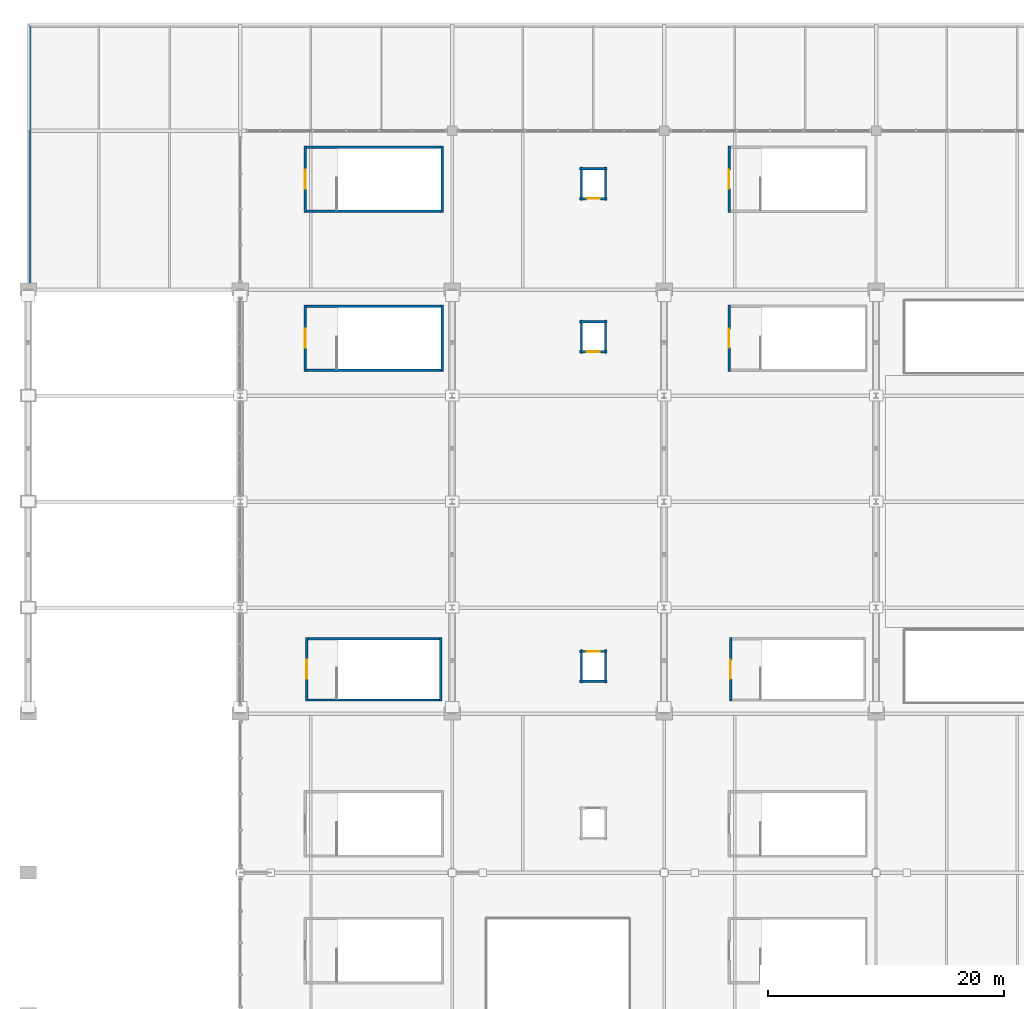
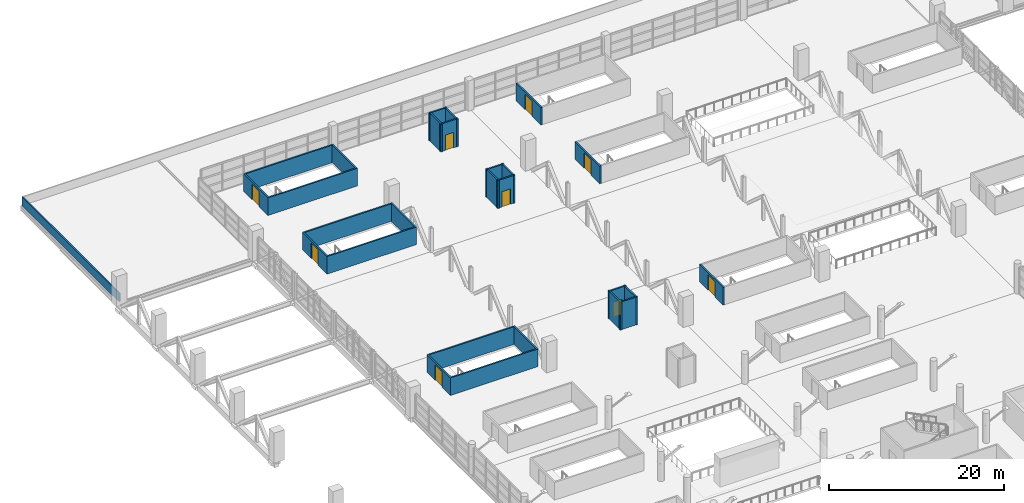
# One storey, part 118 of 136: 28 walls, 9 doors, 9 openings.
"""IFC4 building model written with IfcOpenShell, lengths in metres."""

from ifc_helpers import new_model, si_unit, direction, frame, frame_2d, origin, place, context, subcontext, project, spatial, rectangle, extrude, material, layer, layer_set, type_object, element, fill, save


model = new_model("IFC4")

# Units and contexts
model_context = context("Model", 3, precision=1e-05, world=origin(), true_north=direction((0.0, 1.0)))
body_context = subcontext(model_context, "Body", "Model", "MODEL_VIEW")
ifc_project = project(units=[si_unit("LENGTHUNIT", "METRE"), si_unit("AREAUNIT", "SQUARE_METRE"), si_unit("VOLUMEUNIT", "CUBIC_METRE"), si_unit("PLANEANGLEUNIT", "RADIAN"), si_unit("MASSUNIT", "GRAM", prefix="KILO")], contexts=[model_context])

# Site, building, storey
site_placement = place(None, origin())
site = spatial("IfcSite", under=ifc_project, at=site_placement, CompositionType="ELEMENT")
building_placement = place(site_placement, origin())
building = spatial("IfcBuilding", under=site, at=building_placement, Name="Chuanluo Vaults Station", CompositionType="ELEMENT")
storey_placement = place(building_placement, frame((0.0, 0.0, 6.60009765625)))
storey = spatial("IfcBuildingStorey", under=building, at=storey_placement, Name="L01", CompositionType="ELEMENT", Elevation=6.60009765625)

# Walls
ifc_material_1 = material(Name="Concrete C40", Category="concrete")
ifc_layer_1 = layer(ifc_material_1, 0.179931640625)
ifc_layer_set_1 = layer_set([ifc_layer_1], Name="Concrete C40")
wall_type_1 = type_object("IfcWallType", Name="WL-PAR-180", PredefinedType="PARAPET", material=ifc_layer_set_1)
wall_1_placement = place(storey_placement, frame((0.14990234375, 103.64990234375, 0.0), z_axis=(0.0, 0.0, 1.0), x_axis=(0.0, 1.0, 0.0)))
element("IfcWall", 1, at=wall_1_placement, inside=storey, type_object=wall_type_1, Name="L01 roof parapet wall 04", PredefinedType="PARAPET", context=body_context, shape_type="SweptSolid", body=[
    extrude(rectangle(XDim=22.2001953125, YDim=0.179931640625, at=frame_2d((11.10009765625, 0.0))), origin(), (0.0, 0.0, 1.0), 1.199951171875),
])
ifc_material_2 = material(Name="Concrete C40", Category="concrete")
ifc_layer_2 = layer(ifc_material_2, 0.199951171875)
ifc_layer_set_2 = layer_set([ifc_layer_2], Name="Concrete C40")
wall_type_2 = type_object("IfcWallType", Name="WL-SHF-200", PredefinedType="SOLIDWALL", material=ifc_layer_set_2)
for number, where, z_axis, x_axis, name in (
    (2, (23.550048828125, 68.64990234375, 0.0), (0.0, 0.0, 1.0), (1.0, 0.0, 0.0), "Stair ST-10 south shaft wall L01"),
    (3, (35.125, 73.85009765625, 0.0), (0.0, 0.0, 1.0), (-1.0, 0.0, 0.0), "Stair ST-10 north shaft wall L01"),
):
    element("IfcWall", number, at=place(storey_placement, frame(where, z_axis=z_axis, x_axis=x_axis)), inside=storey, type_object=wall_type_2, Name=name, PredefinedType="SOLIDWALL", context=body_context, shape_type="SweptSolid", body=[
        extrude(rectangle(XDim=11.574951171875, YDim=0.199951171875, at=frame_2d((5.78759765625, 0.0))), origin(), (0.0, 0.0, 1.0), 2.449951171875),
    ])
wall_2_placement = place(storey_placement, frame((35.02490234375, 68.550048828125, 0.0), z_axis=(0.0, 0.0, 1.0), x_axis=(0.0, 1.0, 0.0)))
element("IfcWall", 4, at=wall_2_placement, inside=storey, type_object=wall_type_2, Name="Stair ST-10 far shaft wall L01", PredefinedType="SOLIDWALL", context=body_context, shape_type="SweptSolid", body=[
    extrude(rectangle(XDim=5.39990234375, YDim=0.199951171875, at=frame_2d((2.699951171875, 0.0))), origin(), (0.0, 0.0, 1.0), 2.449951171875),
])

# Wall, opening, door
wall_3_placement = place(storey_placement, frame((23.64990234375, 73.949951171875, 0.0), z_axis=(0.0, 0.0, 1.0), x_axis=(0.0, -1.0, 0.0)))
wall_3 = element("IfcWall", 5, at=wall_3_placement, inside=storey, type_object=wall_type_2, Name="Stair ST-10 vestibule wall L01", PredefinedType="SOLIDWALL", context=body_context, shape_type="SweptSolid", body=[
    extrude(rectangle(XDim=5.39990234375, YDim=0.199951171875, at=frame_2d((2.699951171875, 0.0))), origin(), (0.0, 0.0, 1.0), 2.449951171875),
])
opening_1_placement = place(wall_3_placement, frame((1.89990234375, 0.0, 0.0)))
opening_1 = element("IfcOpeningElement", 6, at=opening_1_placement, cuts=wall_3, Name="Opening FD-02", PredefinedType="OPENING", context=body_context, shape_type="SweptSolid", body=[
    extrude(rectangle(XDim=1.60009765625, YDim=2.14990234375, at=frame_2d((0.800048828125, 1.074951171875))), frame((0.0, 0.1101, 0.0), z_axis=(0.0, -1.0, 0.0), x_axis=(1.0, 0.0, 0.0)), (0.0, 0.0, 1.0), 0.21995),
])
ifc_material_3 = material(Name="Fire-rated steel leaf", Category="steel")
door_type_1 = type_object("IfcDoorType", Name="DR-FIR-1600x2150", OperationType="NOTDEFINED", PredefinedType="DOOR", material=ifc_material_3)
door_1_placement = place(opening_1_placement, origin())
door_1 = element("IfcDoor", 7, at=door_1_placement, inside=storey, type_object=door_type_1, Name="D-100 Stair ST-10 fire door L01", OperationType="SINGLE_SWING_LEFT", OverallHeight=2.14990234375, OverallWidth=1.60009765625, PredefinedType="DOOR", context=body_context, shape_type="SweptSolid", body=[
    extrude(rectangle(XDim=1.60009765625, YDim=2.14990234375, at=frame_2d((0.800048828125, 1.074951171875))), frame((0.0, 0.02490234375, 0.0), z_axis=(0.0, -1.0, 0.0), x_axis=(1.0, 0.0, 0.0)), (0.0, 0.0, 1.0), 0.050048828125),
])
fill(opening_1, door_1)

wall_4_placement = place(storey_placement, frame((59.64990234375, 73.949951171875, 0.0), z_axis=(0.0, 0.0, 1.0), x_axis=(0.0, -1.0, 0.0)))
wall_4 = element("IfcWall", 8, at=wall_4_placement, inside=storey, type_object=wall_type_2, Name="Stair ST-11 vestibule wall L01", PredefinedType="SOLIDWALL", context=body_context, shape_type="SweptSolid", body=[
    extrude(rectangle(XDim=5.39990234375, YDim=0.199951171875, at=frame_2d((2.699951171875, 0.0))), origin(), (0.0, 0.0, 1.0), 2.449951171875),
])
opening_2_placement = place(wall_4_placement, frame((1.89990234375, 0.0, 0.0)))
opening_2 = element("IfcOpeningElement", 9, at=opening_2_placement, cuts=wall_4, Name="Opening FD-02", PredefinedType="OPENING", context=body_context, shape_type="SweptSolid", body=[
    extrude(rectangle(XDim=1.60009765625, YDim=2.14990234375, at=frame_2d((0.800048828125, 1.074951171875))), frame((0.0, 0.1101, 0.0), z_axis=(0.0, -1.0, 0.0), x_axis=(1.0, 0.0, 0.0)), (0.0, 0.0, 1.0), 0.21995),
])
door_2_placement = place(opening_2_placement, origin())
door_2 = element("IfcDoor", 10, at=door_2_placement, inside=storey, type_object=door_type_1, Name="D-102 Stair ST-11 fire door L01", OperationType="SINGLE_SWING_LEFT", OverallHeight=2.14990234375, OverallWidth=1.60009765625, PredefinedType="DOOR", context=body_context, shape_type="SweptSolid", body=[
    extrude(rectangle(XDim=1.60009765625, YDim=2.14990234375, at=frame_2d((0.800048828125, 1.074951171875))), frame((0.0, 0.02490234375, 0.0), z_axis=(0.0, -1.0, 0.0), x_axis=(1.0, 0.0, 0.0)), (0.0, 0.0, 1.0), 0.050048828125),
])
fill(opening_2, door_2)

# Walls
for number, where, z_axis, x_axis, name in (
    (11, (23.425048828125, 96.64990234375, 0.0), (0.0, 0.0, 1.0), (1.0, 0.0, 0.0), "Stair ST-13 south shaft wall L01"),
    (12, (35.25, 102.10009765625, 0.0), (0.0, 0.0, 1.0), (-1.0, 0.0, 0.0), "Stair ST-13 north shaft wall L01"),
):
    element("IfcWall", number, at=place(storey_placement, frame(where, z_axis=z_axis, x_axis=x_axis)), inside=storey, type_object=wall_type_2, Name=name, PredefinedType="SOLIDWALL", context=body_context, shape_type="SweptSolid", body=[
        extrude(rectangle(XDim=11.824951171875, YDim=0.199951171875, at=frame_2d((5.91259765625, 0.0))), origin(), (0.0, 0.0, 1.0), 2.449951171875),
    ])
wall_5_placement = place(storey_placement, frame((35.14990234375, 96.550048828125, 0.0), z_axis=(0.0, 0.0, 1.0), x_axis=(0.0, 1.0, 0.0)))
element("IfcWall", 13, at=wall_5_placement, inside=storey, type_object=wall_type_2, Name="Stair ST-13 far shaft wall L01", PredefinedType="SOLIDWALL", context=body_context, shape_type="SweptSolid", body=[
    extrude(rectangle(XDim=5.64990234375, YDim=0.199951171875, at=frame_2d((2.824951171875, 0.0))), origin(), (0.0, 0.0, 1.0), 2.449951171875),
])

# Wall, opening, door
wall_6_placement = place(storey_placement, frame((23.52490234375, 102.199951171875, 0.0), z_axis=(0.0, 0.0, 1.0), x_axis=(0.0, -1.0, 0.0)))
wall_6 = element("IfcWall", 14, at=wall_6_placement, inside=storey, type_object=wall_type_2, Name="Stair ST-13 vestibule wall L01", PredefinedType="SOLIDWALL", context=body_context, shape_type="SweptSolid", body=[
    extrude(rectangle(XDim=5.64990234375, YDim=0.199951171875, at=frame_2d((2.824951171875, 0.0))), origin(), (0.0, 0.0, 1.0), 2.449951171875),
])
opening_3_placement = place(wall_6_placement, frame((2.02490234375, 0.0, 0.0)))
opening_3 = element("IfcOpeningElement", 15, at=opening_3_placement, cuts=wall_6, Name="Opening FD-02", PredefinedType="OPENING", context=body_context, shape_type="SweptSolid", body=[
    extrude(rectangle(XDim=1.60009765625, YDim=2.14990234375, at=frame_2d((0.800048828125, 1.074951171875))), frame((0.0, 0.1101, 0.0), z_axis=(0.0, -1.0, 0.0), x_axis=(1.0, 0.0, 0.0)), (0.0, 0.0, 1.0), 0.21995),
])
door_3_placement = place(opening_3_placement, origin())
door_3 = element("IfcDoor", 16, at=door_3_placement, inside=storey, type_object=door_type_1, Name="D-106 Stair ST-13 fire door L01", OperationType="SINGLE_SWING_LEFT", OverallHeight=2.14990234375, OverallWidth=1.60009765625, PredefinedType="DOOR", context=body_context, shape_type="SweptSolid", body=[
    extrude(rectangle(XDim=1.60009765625, YDim=2.14990234375, at=frame_2d((0.800048828125, 1.074951171875))), frame((0.0, 0.02490234375, 0.0), z_axis=(0.0, -1.0, 0.0), x_axis=(1.0, 0.0, 0.0)), (0.0, 0.0, 1.0), 0.050048828125),
])
fill(opening_3, door_3)

wall_7_placement = place(storey_placement, frame((59.52490234375, 102.199951171875, 0.0), z_axis=(0.0, 0.0, 1.0), x_axis=(0.0, -1.0, 0.0)))
wall_7 = element("IfcWall", 17, at=wall_7_placement, inside=storey, type_object=wall_type_2, Name="Stair ST-14 vestibule wall L01", PredefinedType="SOLIDWALL", context=body_context, shape_type="SweptSolid", body=[
    extrude(rectangle(XDim=5.64990234375, YDim=0.199951171875, at=frame_2d((2.824951171875, 0.0))), origin(), (0.0, 0.0, 1.0), 2.449951171875),
])
opening_4_placement = place(wall_7_placement, frame((2.02490234375, 0.0, 0.0)))
opening_4 = element("IfcOpeningElement", 18, at=opening_4_placement, cuts=wall_7, Name="Opening FD-02", PredefinedType="OPENING", context=body_context, shape_type="SweptSolid", body=[
    extrude(rectangle(XDim=1.60009765625, YDim=2.14990234375, at=frame_2d((0.800048828125, 1.074951171875))), frame((0.0, 0.1101, 0.0), z_axis=(0.0, -1.0, 0.0), x_axis=(1.0, 0.0, 0.0)), (0.0, 0.0, 1.0), 0.21995),
])
door_4_placement = place(opening_4_placement, origin())
door_4 = element("IfcDoor", 19, at=door_4_placement, inside=storey, type_object=door_type_1, Name="D-108 Stair ST-14 fire door L01", OperationType="SINGLE_SWING_LEFT", OverallHeight=2.14990234375, OverallWidth=1.60009765625, PredefinedType="DOOR", context=body_context, shape_type="SweptSolid", body=[
    extrude(rectangle(XDim=1.60009765625, YDim=2.14990234375, at=frame_2d((0.800048828125, 1.074951171875))), frame((0.0, 0.02490234375, 0.0), z_axis=(0.0, -1.0, 0.0), x_axis=(1.0, 0.0, 0.0)), (0.0, 0.0, 1.0), 0.050048828125),
])
fill(opening_4, door_4)

# Walls
for number, where, z_axis, x_axis, name in (
    (20, (23.425048828125, 110.14990234375, 0.0), (0.0, 0.0, 1.0), (1.0, 0.0, 0.0), "Stair ST-16 south shaft wall L01"),
    (21, (35.25, 115.60009765625, 0.0), (0.0, 0.0, 1.0), (-1.0, 0.0, 0.0), "Stair ST-16 north shaft wall L01"),
):
    element("IfcWall", number, at=place(storey_placement, frame(where, z_axis=z_axis, x_axis=x_axis)), inside=storey, type_object=wall_type_2, Name=name, PredefinedType="SOLIDWALL", context=body_context, shape_type="SweptSolid", body=[
        extrude(rectangle(XDim=11.824951171875, YDim=0.199951171875, at=frame_2d((5.91259765625, 0.0))), origin(), (0.0, 0.0, 1.0), 2.449951171875),
    ])
wall_8_placement = place(storey_placement, frame((35.14990234375, 110.050048828125, 0.0), z_axis=(0.0, 0.0, 1.0), x_axis=(0.0, 1.0, 0.0)))
element("IfcWall", 22, at=wall_8_placement, inside=storey, type_object=wall_type_2, Name="Stair ST-16 far shaft wall L01", PredefinedType="SOLIDWALL", context=body_context, shape_type="SweptSolid", body=[
    extrude(rectangle(XDim=5.64990234375, YDim=0.199951171875, at=frame_2d((2.824951171875, 0.0))), origin(), (0.0, 0.0, 1.0), 2.449951171875),
])

# Wall, opening, door
wall_9_placement = place(storey_placement, frame((23.52490234375, 115.699951171875, 0.0), z_axis=(0.0, 0.0, 1.0), x_axis=(0.0, -1.0, 0.0)))
wall_9 = element("IfcWall", 23, at=wall_9_placement, inside=storey, type_object=wall_type_2, Name="Stair ST-16 vestibule wall L01", PredefinedType="SOLIDWALL", context=body_context, shape_type="SweptSolid", body=[
    extrude(rectangle(XDim=5.64990234375, YDim=0.199951171875, at=frame_2d((2.824951171875, 0.0))), origin(), (0.0, 0.0, 1.0), 2.449951171875),
])
opening_5_placement = place(wall_9_placement, frame((2.02490234375, 0.0, 0.0)))
opening_5 = element("IfcOpeningElement", 24, at=opening_5_placement, cuts=wall_9, Name="Opening FD-02", PredefinedType="OPENING", context=body_context, shape_type="SweptSolid", body=[
    extrude(rectangle(XDim=1.60009765625, YDim=2.14990234375, at=frame_2d((0.800048828125, 1.074951171875))), frame((0.0, 0.1101, 0.0), z_axis=(0.0, -1.0, 0.0), x_axis=(1.0, 0.0, 0.0)), (0.0, 0.0, 1.0), 0.21995),
])
door_5_placement = place(opening_5_placement, origin())
door_5 = element("IfcDoor", 25, at=door_5_placement, inside=storey, type_object=door_type_1, Name="D-112 Stair ST-16 fire door L01", OperationType="SINGLE_SWING_LEFT", OverallHeight=2.14990234375, OverallWidth=1.60009765625, PredefinedType="DOOR", context=body_context, shape_type="SweptSolid", body=[
    extrude(rectangle(XDim=1.60009765625, YDim=2.14990234375, at=frame_2d((0.800048828125, 1.074951171875))), frame((0.0, 0.02490234375, 0.0), z_axis=(0.0, -1.0, 0.0), x_axis=(1.0, 0.0, 0.0)), (0.0, 0.0, 1.0), 0.050048828125),
])
fill(opening_5, door_5)

wall_10_placement = place(storey_placement, frame((59.52490234375, 115.699951171875, 0.0), z_axis=(0.0, 0.0, 1.0), x_axis=(0.0, -1.0, 0.0)))
wall_10 = element("IfcWall", 26, at=wall_10_placement, inside=storey, type_object=wall_type_2, Name="Stair ST-17 vestibule wall L01", PredefinedType="SOLIDWALL", context=body_context, shape_type="SweptSolid", body=[
    extrude(rectangle(XDim=5.64990234375, YDim=0.199951171875, at=frame_2d((2.824951171875, 0.0))), origin(), (0.0, 0.0, 1.0), 2.449951171875),
])
opening_6_placement = place(wall_10_placement, frame((2.02490234375, 0.0, 0.0)))
opening_6 = element("IfcOpeningElement", 27, at=opening_6_placement, cuts=wall_10, Name="Opening FD-02", PredefinedType="OPENING", context=body_context, shape_type="SweptSolid", body=[
    extrude(rectangle(XDim=1.60009765625, YDim=2.14990234375, at=frame_2d((0.800048828125, 1.074951171875))), frame((0.0, 0.1101, 0.0), z_axis=(0.0, -1.0, 0.0), x_axis=(1.0, 0.0, 0.0)), (0.0, 0.0, 1.0), 0.21995),
])
door_6_placement = place(opening_6_placement, origin())
door_6 = element("IfcDoor", 28, at=door_6_placement, inside=storey, type_object=door_type_1, Name="D-114 Stair ST-17 fire door L01", OperationType="SINGLE_SWING_LEFT", OverallHeight=2.14990234375, OverallWidth=1.60009765625, PredefinedType="DOOR", context=body_context, shape_type="SweptSolid", body=[
    extrude(rectangle(XDim=1.60009765625, YDim=2.14990234375, at=frame_2d((0.800048828125, 1.074951171875))), frame((0.0, 0.02490234375, 0.0), z_axis=(0.0, -1.0, 0.0), x_axis=(1.0, 0.0, 0.0)), (0.0, 0.0, 1.0), 0.050048828125),
])
fill(opening_6, door_6)

# Wall
wall_11_placement = place(storey_placement, frame((46.830078125, 70.22998046875, 0.0), z_axis=(0.0, 0.0, 1.0), x_axis=(1.0, 0.0, 0.0)))
element("IfcWall", 29, at=wall_11_placement, inside=storey, type_object=wall_type_2, Name="Lift PL-02 shaft wall L01 -Y", PredefinedType="SOLIDWALL", context=body_context, shape_type="SweptSolid", body=[
    extrude(rectangle(XDim=2.33984375, YDim=0.199951171875, at=frame_2d((1.169921875, 0.0))), origin(), (0.0, 0.0, 1.0), 3.875),
])

# Wall, opening, door
wall_12_placement = place(storey_placement, frame((49.169921875, 72.77001953125, 0.0), z_axis=(0.0, 0.0, 1.0), x_axis=(-1.0, 0.0, 0.0)))
wall_12 = element("IfcWall", 30, at=wall_12_placement, inside=storey, type_object=wall_type_2, Name="Lift PL-02 shaft wall L01 +Y", PredefinedType="SOLIDWALL", context=body_context, shape_type="SweptSolid", body=[
    extrude(rectangle(XDim=2.33984375, YDim=0.199951171875, at=frame_2d((1.169921875, 0.0))), origin(), (0.0, 0.0, 1.0), 3.875),
])
opening_7_placement = place(wall_12_placement, frame((0.6201171875, 0.0, 0.0)))
opening_7 = element("IfcOpeningElement", 31, at=opening_7_placement, cuts=wall_12, Name="Opening LD-01", PredefinedType="OPENING", context=body_context, shape_type="SweptSolid", body=[
    extrude(rectangle(XDim=1.10009765625, YDim=2.14990234375, at=frame_2d((0.550048828125, 1.074951171875))), frame((0.0, 0.1101, 0.0), z_axis=(0.0, -1.0, 0.0), x_axis=(1.0, 0.0, 0.0)), (0.0, 0.0, 1.0), 0.21995),
])
ifc_material_4 = material(Name="Brushed stainless steel 304", Category="steel")
door_type_2 = type_object("IfcDoorType", Name="DR-LFT-1100x2150", OperationType="SLIDING_TO_LEFT", PredefinedType="DOOR", material=ifc_material_4)
door_7_placement = place(opening_7_placement, origin())
door_7 = element("IfcDoor", 32, at=door_7_placement, inside=storey, type_object=door_type_2, Name="LD-PL-02-02 Lift PL-02 sliding landing door L01", OperationType="SLIDING_TO_LEFT", OverallHeight=2.14990234375, OverallWidth=1.10009765625, PredefinedType="DOOR", context=body_context, shape_type="SweptSolid", body=[
    extrude(rectangle(XDim=1.10009765625, YDim=2.14990234375, at=frame_2d((0.550048828125, 1.074951171875))), frame((0.0, 0.02490234375, 0.0), z_axis=(0.0, -1.0, 0.0), x_axis=(1.0, 0.0, 0.0)), (0.0, 0.0, 1.0), 0.050048828125),
])
fill(opening_7, door_7)

# Walls
for number, where, z_axis, x_axis, name in (
    (33, (46.97998046875, 72.919921875, 0.0), (0.0, 0.0, 1.0), (0.0, -1.0, 0.0), "Lift PL-02 shaft wall L01 -X"),
    (34, (49.02001953125, 70.080078125, 0.0), (0.0, 0.0, 1.0), (0.0, 1.0, 0.0), "Lift PL-02 shaft wall L01 +X"),
):
    element("IfcWall", number, at=place(storey_placement, frame(where, z_axis=z_axis, x_axis=x_axis)), inside=storey, type_object=wall_type_2, Name=name, PredefinedType="SOLIDWALL", context=body_context, shape_type="SweptSolid", body=[
        extrude(rectangle(XDim=2.83984375, YDim=0.199951171875, at=frame_2d((1.419921875, 0.0))), origin(), (0.0, 0.0, 1.0), 3.875),
    ])

# Wall, opening, door
wall_13_placement = place(storey_placement, frame((46.830078125, 98.22998046875, 0.0), z_axis=(0.0, 0.0, 1.0), x_axis=(1.0, 0.0, 0.0)))
wall_13 = element("IfcWall", 35, at=wall_13_placement, inside=storey, type_object=wall_type_2, Name="Lift PL-03 shaft wall L01 -Y", PredefinedType="SOLIDWALL", context=body_context, shape_type="SweptSolid", body=[
    extrude(rectangle(XDim=2.33984375, YDim=0.199951171875, at=frame_2d((1.169921875, 0.0))), origin(), (0.0, 0.0, 1.0), 3.875),
])
opening_8_placement = place(wall_13_placement, frame((0.6201171875, 0.0, 0.0)))
opening_8 = element("IfcOpeningElement", 36, at=opening_8_placement, cuts=wall_13, Name="Opening LD-01", PredefinedType="OPENING", context=body_context, shape_type="SweptSolid", body=[
    extrude(rectangle(XDim=1.10009765625, YDim=2.14990234375, at=frame_2d((0.550048828125, 1.074951171875))), frame((0.0, 0.1101, 0.0), z_axis=(0.0, -1.0, 0.0), x_axis=(1.0, 0.0, 0.0)), (0.0, 0.0, 1.0), 0.21995),
])
door_8_placement = place(opening_8_placement, origin())
door_8 = element("IfcDoor", 37, at=door_8_placement, inside=storey, type_object=door_type_2, Name="LD-PL-03-02 Lift PL-03 sliding landing door L01", OperationType="SLIDING_TO_LEFT", OverallHeight=2.14990234375, OverallWidth=1.10009765625, PredefinedType="DOOR", context=body_context, shape_type="SweptSolid", body=[
    extrude(rectangle(XDim=1.10009765625, YDim=2.14990234375, at=frame_2d((0.550048828125, 1.074951171875))), frame((0.0, 0.02490234375, 0.0), z_axis=(0.0, -1.0, 0.0), x_axis=(1.0, 0.0, 0.0)), (0.0, 0.0, 1.0), 0.050048828125),
])
fill(opening_8, door_8)

# Walls
wall_14_placement = place(storey_placement, frame((49.169921875, 100.77001953125, 0.0), z_axis=(0.0, 0.0, 1.0), x_axis=(-1.0, 0.0, 0.0)))
element("IfcWall", 38, at=wall_14_placement, inside=storey, type_object=wall_type_2, Name="Lift PL-03 shaft wall L01 +Y", PredefinedType="SOLIDWALL", context=body_context, shape_type="SweptSolid", body=[
    extrude(rectangle(XDim=2.33984375, YDim=0.199951171875, at=frame_2d((1.169921875, 0.0))), origin(), (0.0, 0.0, 1.0), 3.875),
])
for number, where, z_axis, x_axis, name in (
    (39, (46.97998046875, 100.919921875, 0.0), (0.0, 0.0, 1.0), (0.0, -1.0, 0.0), "Lift PL-03 shaft wall L01 -X"),
    (40, (49.02001953125, 98.080078125, 0.0), (0.0, 0.0, 1.0), (0.0, 1.0, 0.0), "Lift PL-03 shaft wall L01 +X"),
):
    element("IfcWall", number, at=place(storey_placement, frame(where, z_axis=z_axis, x_axis=x_axis)), inside=storey, type_object=wall_type_2, Name=name, PredefinedType="SOLIDWALL", context=body_context, shape_type="SweptSolid", body=[
        extrude(rectangle(XDim=2.83984375, YDim=0.199951171875, at=frame_2d((1.419921875, 0.0))), origin(), (0.0, 0.0, 1.0), 3.875),
    ])

# Wall, opening, door
wall_15_placement = place(storey_placement, frame((46.830078125, 111.22998046875, 0.0), z_axis=(0.0, 0.0, 1.0), x_axis=(1.0, 0.0, 0.0)))
wall_15 = element("IfcWall", 41, at=wall_15_placement, inside=storey, type_object=wall_type_2, Name="Lift PL-04 shaft wall L01 -Y", PredefinedType="SOLIDWALL", context=body_context, shape_type="SweptSolid", body=[
    extrude(rectangle(XDim=2.33984375, YDim=0.199951171875, at=frame_2d((1.169921875, 0.0))), origin(), (0.0, 0.0, 1.0), 3.875),
])
opening_9_placement = place(wall_15_placement, frame((0.6201171875, 0.0, 0.0)))
opening_9 = element("IfcOpeningElement", 42, at=opening_9_placement, cuts=wall_15, Name="Opening LD-01", PredefinedType="OPENING", context=body_context, shape_type="SweptSolid", body=[
    extrude(rectangle(XDim=1.10009765625, YDim=2.14990234375, at=frame_2d((0.550048828125, 1.074951171875))), frame((0.0, 0.1101, 0.0), z_axis=(0.0, -1.0, 0.0), x_axis=(1.0, 0.0, 0.0)), (0.0, 0.0, 1.0), 0.21995),
])
door_9_placement = place(opening_9_placement, origin())
door_9 = element("IfcDoor", 43, at=door_9_placement, inside=storey, type_object=door_type_2, Name="LD-PL-04-02 Lift PL-04 sliding landing door L01", OperationType="SLIDING_TO_LEFT", OverallHeight=2.14990234375, OverallWidth=1.10009765625, PredefinedType="DOOR", context=body_context, shape_type="SweptSolid", body=[
    extrude(rectangle(XDim=1.10009765625, YDim=2.14990234375, at=frame_2d((0.550048828125, 1.074951171875))), frame((0.0, 0.02490234375, 0.0), z_axis=(0.0, -1.0, 0.0), x_axis=(1.0, 0.0, 0.0)), (0.0, 0.0, 1.0), 0.050048828125),
])
fill(opening_9, door_9)

# Walls
wall_16_placement = place(storey_placement, frame((49.169921875, 113.77001953125, 0.0), z_axis=(0.0, 0.0, 1.0), x_axis=(-1.0, 0.0, 0.0)))
element("IfcWall", 44, at=wall_16_placement, inside=storey, type_object=wall_type_2, Name="Lift PL-04 shaft wall L01 +Y", PredefinedType="SOLIDWALL", context=body_context, shape_type="SweptSolid", body=[
    extrude(rectangle(XDim=2.33984375, YDim=0.199951171875, at=frame_2d((1.169921875, 0.0))), origin(), (0.0, 0.0, 1.0), 3.875),
])
for number, where, z_axis, x_axis, name in (
    (45, (46.97998046875, 113.919921875, 0.0), (0.0, 0.0, 1.0), (0.0, -1.0, 0.0), "Lift PL-04 shaft wall L01 -X"),
    (46, (49.02001953125, 111.080078125, 0.0), (0.0, 0.0, 1.0), (0.0, 1.0, 0.0), "Lift PL-04 shaft wall L01 +X"),
):
    element("IfcWall", number, at=place(storey_placement, frame(where, z_axis=z_axis, x_axis=x_axis)), inside=storey, type_object=wall_type_2, Name=name, PredefinedType="SOLIDWALL", context=body_context, shape_type="SweptSolid", body=[
        extrude(rectangle(XDim=2.83984375, YDim=0.199951171875, at=frame_2d((1.419921875, 0.0))), origin(), (0.0, 0.0, 1.0), 3.875),
    ])

save(model, "model.ifc")
